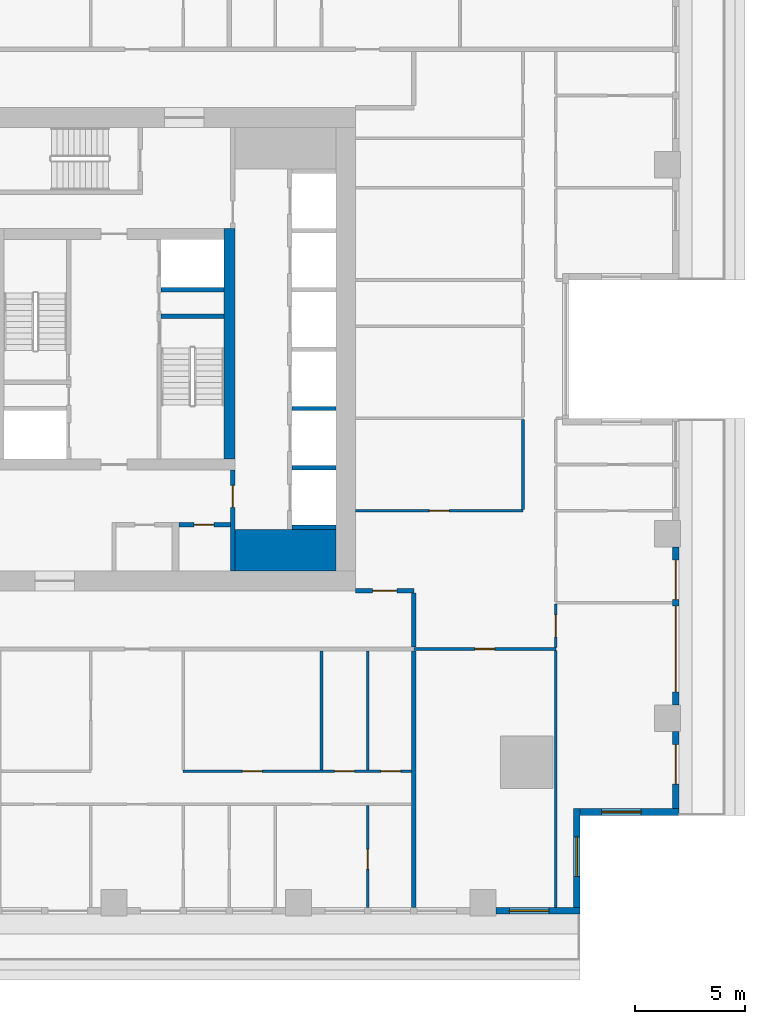
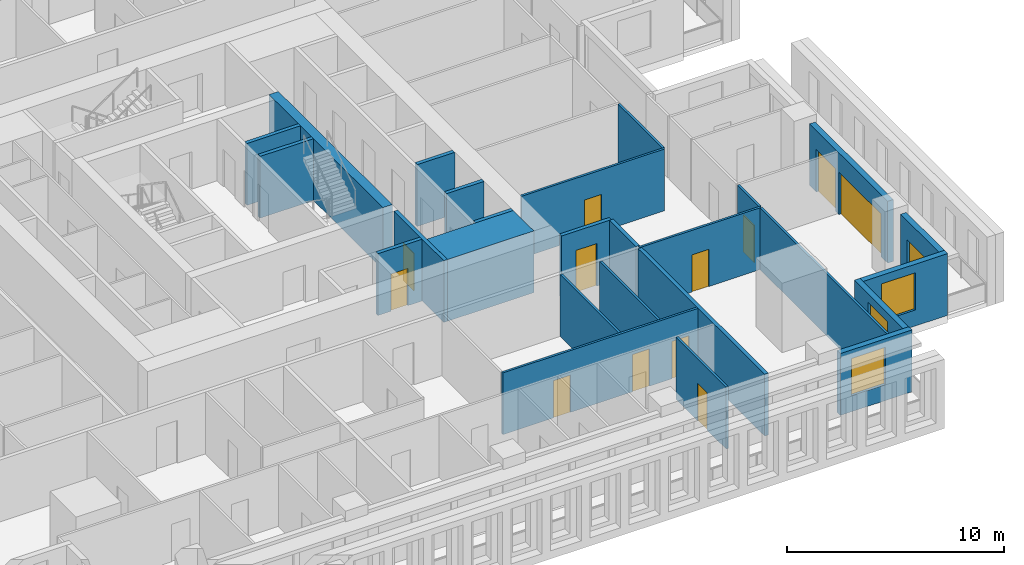
# One storey, part 5 of 16: 26 walls, 13 doors, 3 windows, 16 openings.
"""IFC4 building model written with IfcOpenShell, lengths in metres."""

from ifc_helpers import new_model, si_unit, direction, frame, frame_2d, origin, place, context, subcontext, project, spatial, rectangle, extrude, material, layer, layer_set, type_object, element, fill, save


model = new_model("IFC4")

# Units and contexts
model_context = context("Model", 3, precision=1e-05, world=origin(), true_north=direction((0.0, 1.0)))
body_context = subcontext(model_context, "Body", "Model", "MODEL_VIEW")
ifc_project = project(units=[si_unit("LENGTHUNIT", "METRE"), si_unit("AREAUNIT", "SQUARE_METRE"), si_unit("VOLUMEUNIT", "CUBIC_METRE"), si_unit("PLANEANGLEUNIT", "RADIAN"), si_unit("MASSUNIT", "GRAM", prefix="KILO")], contexts=[model_context])

# Site, building, storey
site_placement = place(None, origin())
site = spatial("IfcSite", under=ifc_project, at=site_placement, CompositionType="ELEMENT")
building_placement = place(site_placement, origin())
building = spatial("IfcBuilding", under=site, at=building_placement, Name="Khepri Terraces", CompositionType="ELEMENT")
storey_placement = place(building_placement, frame((0.0, 0.0, 192.300048828125)))
storey = spatial("IfcBuildingStorey", under=building, at=storey_placement, Name="L45", CompositionType="ELEMENT", Elevation=192.300048828125)

# Walls
ifc_material_1 = material(Name="Concrete C50/60", Category="concrete")
ifc_layer_1 = layer(ifc_material_1, 1.89990234375, Name="Concrete C50/60", Category="concrete")
ifc_layer_set_1 = layer_set([ifc_layer_1], Name="Concrete C50/60")
wall_type_1 = type_object("IfcWallType", Name="Core wall 1900 C50/60", PredefinedType="SHEAR", material=ifc_layer_set_1)
wall_1_placement = place(storey_placement, frame((5.5, -9.14990234375, 0.0), z_axis=(0.0, 0.0, 1.0), x_axis=(1.0, 0.0, 0.0)))
element("IfcWall", 1, at=wall_1_placement, inside=storey, type_object=wall_type_1, Name="Core wall PR02 L45", PredefinedType="SHEAR", context=body_context, shape_type="SweptSolid", body=[
    extrude(rectangle(XDim=4.60009765625, YDim=1.89990234375, at=frame_2d((2.300048828125, 0.0))), origin(), (0.0, 0.0, 1.0), 3.47998046875),
])
ifc_layer_2 = layer(ifc_material_1, 0.199951171875, Name="Concrete C50/60", Category="concrete")
ifc_layer_set_2 = layer_set([ifc_layer_2], Name="Concrete C50/60")
wall_type_2 = type_object("IfcWallType", Name="Core wall 200 C50/60", PredefinedType="SHEAR", material=ifc_layer_set_2)
wall_2_placement = place(storey_placement, frame((2.14990234375, 1.5, 0.0), z_axis=(0.0, 0.0, 1.0), x_axis=(1.0, 0.0, 0.0)))
element("IfcWall", 2, at=wall_2_placement, inside=storey, type_object=wall_type_2, Name="Core wall ST04 L45", PredefinedType="SHEAR", context=body_context, shape_type="SweptSolid", body=[
    extrude(rectangle(XDim=2.85009765625, YDim=0.199951171875, at=frame_2d((1.425048828125, 0.0))), origin(), (0.0, 0.0, 1.0), 3.47998046875),
])
for number, where, z_axis, x_axis, name in (
    (3, (8.10009765625, -8.10009765625, 0.0), (0.0, 0.0, 1.0), (1.0, 0.0, 0.0), "Core wall SH03 L45"),
    (4, (8.10009765625, -5.39990234375, 0.0), (0.0, 0.0, 1.0), (1.0, 0.0, 0.0), "Core wall SH04 L45"),
    (5, (8.10009765625, -2.699951171875, 0.0), (0.0, 0.0, 1.0), (1.0, 0.0, 0.0), "Core wall SH08 L45"),
):
    element("IfcWall", number, at=place(storey_placement, frame(where, z_axis=z_axis, x_axis=x_axis)), inside=storey, type_object=wall_type_2, Name=name, PredefinedType="SHEAR", context=body_context, shape_type="SweptSolid", body=[
        extrude(rectangle(XDim=2.0, YDim=0.199951171875, at=frame_2d((1.0, 0.0))), origin(), (0.0, 0.0, 1.0), 3.47998046875),
    ])
wall_3_placement = place(storey_placement, frame((2.14990234375, 2.699951171875, 0.0), z_axis=(0.0, 0.0, 1.0), x_axis=(1.0, 0.0, 0.0)))
element("IfcWall", 6, at=wall_3_placement, inside=storey, type_object=wall_type_2, Name="Core wall SH12 L45", PredefinedType="SHEAR", context=body_context, shape_type="SweptSolid", body=[
    extrude(rectangle(XDim=2.85009765625, YDim=0.199951171875, at=frame_2d((1.425048828125, 0.0))), origin(), (0.0, 0.0, 1.0), 3.47998046875),
])
ifc_layer_3 = layer(ifc_material_1, 0.5, Name="Concrete C50/60", Category="concrete")
ifc_layer_set_3 = layer_set([ifc_layer_3], Name="Concrete C50/60")
wall_type_3 = type_object("IfcWallType", Name="Core wall 500 C50/60", PredefinedType="SHEAR", material=ifc_layer_set_3)
wall_4_placement = place(storey_placement, frame((5.25, -5.0, 0.0), z_axis=(0.0, 0.0, 1.0), x_axis=(0.0, 1.0, 0.0)))
element("IfcWall", 7, at=wall_4_placement, inside=storey, type_object=wall_type_3, Name="Core wall BX03 L45", PredefinedType="SHEAR", context=body_context, shape_type="SweptSolid", body=[
    extrude(rectangle(XDim=10.5, YDim=0.5, at=frame_2d((5.25, 0.0))), origin(), (0.0, 0.0, 1.0), 3.47998046875),
])

# Wall, opening, door
ifc_material_2 = material(Name="Fire-rated gypsum board partition")
ifc_layer_4 = layer(ifc_material_2, 0.199951171875, Name="Fire-rated gypsum board partition")
ifc_layer_set_4 = layer_set([ifc_layer_4], Name="Fire-rated gypsum board partition")
wall_type_4 = type_object("IfcWallType", Name="WL-CORE-PART-200", PredefinedType="PARTITIONING", material=ifc_layer_set_4)
wall_5_placement = place(storey_placement, frame((5.39990234375, -10.10009765625, 0.0), z_axis=(0.0, 0.0, 1.0), x_axis=(0.0, 1.0, 0.0)))
wall_5 = element("IfcWall", 8, at=wall_5_placement, inside=storey, type_object=wall_type_4, Name="Core partition PT04 L45", PredefinedType="PARTITIONING", context=body_context, shape_type="SweptSolid", body=[
    extrude(rectangle(XDim=4.60009765625, YDim=0.199951171875, at=frame_2d((2.300048828125, 0.0))), origin(), (0.0, 0.0, 1.0), 3.47998046875),
])
opening_1_placement = place(wall_5_placement, frame((2.89990234375, 0.0, 0.0)))
opening_1 = element("IfcOpeningElement", 9, at=opening_1_placement, cuts=wall_5, Name="Opening L45-C19", PredefinedType="OPENING", context=body_context, shape_type="SweptSolid", body=[
    extrude(rectangle(XDim=1.0, YDim=2.10009765625, at=frame_2d((0.5, 1.050048828125))), frame((0.0, 0.10986328125, 0.0), z_axis=(0.0, -1.0, 0.0), x_axis=(1.0, 0.0, 0.0)), (0.0, 0.0, 1.0), 0.219970703125),
])
ifc_material_3 = material(Name="Painted steel", Category="steel")
door_type_1 = type_object("IfcDoorType", Name="DR-CORE-LOBBY-1000", OperationType="NOTDEFINED", PredefinedType="DOOR", material=ifc_material_3)
door_1_placement = place(opening_1_placement, origin())
door_1 = element("IfcDoor", 10, at=door_1_placement, inside=storey, type_object=door_type_1, Name="Lobby door L45-C19", OperationType="SINGLE_SWING_RIGHT", OverallHeight=2.10009765625, OverallWidth=1.0, PredefinedType="DOOR", context=body_context, shape_type="SweptSolid", body=[
    extrude(rectangle(XDim=1.0, YDim=2.10009765625, at=frame_2d((0.5, 1.050048828125))), frame((0.0, 0.02490234375, 0.0), z_axis=(0.0, -1.0, 0.0), x_axis=(1.0, 0.0, 0.0)), (0.0, 0.0, 1.0), 0.050048828125),
])
fill(opening_1, door_1)

wall_6_placement = place(storey_placement, frame((2.949951171875, -8.0, 0.0), z_axis=(0.0, 0.0, 1.0), x_axis=(1.0, 0.0, 0.0)))
wall_6 = element("IfcWall", 11, at=wall_6_placement, inside=storey, type_object=wall_type_4, Name="Core partition PT07 L45", PredefinedType="PARTITIONING", context=body_context, shape_type="SweptSolid", body=[
    extrude(rectangle(XDim=2.35009765625, YDim=0.199951171875, at=frame_2d((1.175048828125, 0.0))), origin(), (0.0, 0.0, 1.0), 3.47998046875),
])
opening_2_placement = place(wall_6_placement, frame((0.699951171875, 0.0, 0.0)))
opening_2 = element("IfcOpeningElement", 12, at=opening_2_placement, cuts=wall_6, Name="Opening L45-C23", PredefinedType="OPENING", context=body_context, shape_type="SweptSolid", body=[
    extrude(rectangle(XDim=0.89990234375, YDim=2.10009765625, at=frame_2d((0.449951171875, 1.050048828125))), frame((0.0, 0.10986328125, 0.0), z_axis=(0.0, -1.0, 0.0), x_axis=(1.0, 0.0, 0.0)), (0.0, 0.0, 1.0), 0.219970703125),
])
door_type_2 = type_object("IfcDoorType", Name="DR-CORE-SERVICE-900", OperationType="NOTDEFINED", PredefinedType="DOOR", material=ifc_material_3)
door_2_placement = place(opening_2_placement, frame((0.89990234375, 0.0, 0.0), z_axis=(0.0, 0.0, 1.0), x_axis=(-1.0, 0.0, 0.0)))
door_2 = element("IfcDoor", 13, at=door_2_placement, inside=storey, type_object=door_type_2, Name="Service room door L45-C23", OperationType="SINGLE_SWING_RIGHT", OverallHeight=2.10009765625, OverallWidth=0.89990234375, PredefinedType="DOOR", context=body_context, shape_type="SweptSolid", body=[
    extrude(rectangle(XDim=0.89990234375, YDim=2.10009765625, at=frame_2d((0.449951171875, 1.050048828125))), frame((0.0, 0.02490234375, 0.0), z_axis=(0.0, -1.0, 0.0), x_axis=(1.0, 0.0, 0.0)), (0.0, 0.0, 1.0), 0.050048828125),
])
fill(opening_2, door_2)

# Walls
ifc_material_4 = material(Name="Fire-rated gypsum plasterboard partition, mineral wool")
ifc_layer_5 = layer(ifc_material_4, 0.199951171875, Name="Fire-rated gypsum plasterboard partition, mineral wool")
ifc_layer_set_5 = layer_set([ifc_layer_5], Name="Fire-rated gypsum plasterboard partition, mineral wool")
wall_type_5 = type_object("IfcWallType", Name="WL-CORR-200", PredefinedType="PARTITIONING", material=ifc_layer_set_5)
wall_7_placement = place(storey_placement, frame((13.64990234375, -25.419921875, 0.0), z_axis=(0.0, 0.0, 1.0), x_axis=(0.0, 1.0, 0.0)))
element("IfcWall", 14, at=wall_7_placement, inside=storey, type_object=wall_type_5, Name="Partition P-010 L45", PredefinedType="PARTITIONING", context=body_context, shape_type="SweptSolid", body=[
    extrude(rectangle(XDim=11.669921875, YDim=0.199951171875, at=frame_2d((5.8349609375, 0.0))), origin(), (0.0, 0.0, 1.0), 3.47998046875),
])
wall_8_placement = place(storey_placement, frame((13.64990234375, -13.550048828125, 0.0), z_axis=(0.0, 0.0, 1.0), x_axis=(0.0, 1.0, 0.0)))
element("IfcWall", 15, at=wall_8_placement, inside=storey, type_object=wall_type_5, Name="Partition P-031 L45", PredefinedType="PARTITIONING", context=body_context, shape_type="SweptSolid", body=[
    extrude(rectangle(XDim=2.449951171875, YDim=0.199951171875, at=frame_2d((1.22509765625, 0.0))), origin(), (0.0, 0.0, 1.0), 3.47998046875),
])

# Wall, opening, door
wall_9_placement = place(storey_placement, frame((11.0, -11.0, 0.0), z_axis=(0.0, 0.0, 1.0), x_axis=(1.0, 0.0, 0.0)))
wall_9 = element("IfcWall", 16, at=wall_9_placement, inside=storey, type_object=wall_type_5, Name="Partition P-038 L45", PredefinedType="PARTITIONING", context=body_context, shape_type="SweptSolid", body=[
    extrude(rectangle(XDim=2.64990234375, YDim=0.199951171875, at=frame_2d((1.324951171875, 0.0))), origin(), (0.0, 0.0, 1.0), 3.47998046875),
])
opening_3_placement = place(wall_9_placement, frame((0.77490234375, 0.0, 0.0)))
opening_3 = element("IfcOpeningElement", 17, at=opening_3_placement, cuts=wall_9, Name="Opening D1", PredefinedType="OPENING", context=body_context, shape_type="SweptSolid", body=[
    extrude(rectangle(XDim=1.10009765625, YDim=2.39990234375, at=frame_2d((0.550048828125, 1.199951171875))), frame((0.0, 0.10986328125, 0.0), z_axis=(0.0, -1.0, 0.0), x_axis=(1.0, 0.0, 0.0)), (0.0, 0.0, 1.0), 0.219970703125),
])
ifc_material_5 = material(Name="Solid-core timber door leaf, flat entrance door", Category="wood")
door_type_3 = type_object("IfcDoorType", Name="DR-ENT-1100", OperationType="NOTDEFINED", PredefinedType="DOOR", material=ifc_material_5)
door_3_placement = place(opening_3_placement, origin())
door_3 = element("IfcDoor", 18, at=door_3_placement, inside=storey, type_object=door_type_3, Name="Flat B1 entrance door", OperationType="SINGLE_SWING_LEFT", OverallHeight=2.39990234375, OverallWidth=1.10009765625, PredefinedType="DOOR", context=body_context, shape_type="SweptSolid", body=[
    extrude(rectangle(XDim=1.10009765625, YDim=2.39990234375, at=frame_2d((0.550048828125, 1.199951171875))), frame((0.0, 0.02490234375, 0.0), z_axis=(0.0, -1.0, 0.0), x_axis=(1.0, 0.0, 0.0)), (0.0, 0.0, 1.0), 0.050048828125),
])
fill(opening_3, door_3)

# Wall, opening, window
ifc_material_6 = material(Name="Precast concrete C50/60 warm stone", Category="masonry")
ifc_layer_6 = layer(ifc_material_6, 0.300048828125, Name="Precast concrete C50/60 warm stone", Category="masonry")
ifc_layer_set_6 = layer_set([ifc_layer_6], Name="Precast concrete C50/60 warm stone")
wall_type_6 = type_object("IfcWallType", Name="WL-EXT-PRECAST-300", PredefinedType="STANDARD", material=ifc_layer_set_6)
wall_10_placement = place(storey_placement, frame((21.219970703125, -21.070068359375, 0.0), z_axis=(0.0, 0.0, 1.0), x_axis=(1.0, 0.0, 0.0)))
wall_10 = element("IfcWall", 19, at=wall_10_placement, inside=storey, type_object=wall_type_6, Name="External wall L45 S", PredefinedType="STANDARD", context=body_context, shape_type="SweptSolid", body=[
    extrude(rectangle(XDim=4.5, YDim=0.300048828125, at=frame_2d((2.25, 0.0))), origin(), (0.0, 0.0, 1.0), 3.47998046875),
])
opening_4_placement = place(wall_10_placement, frame((0.97998046875, 0.0, 0.89990234375)))
opening_4 = element("IfcOpeningElement", 20, at=opening_4_placement, cuts=wall_10, Name="Opening W1", PredefinedType="OPENING", context=body_context, shape_type="SweptSolid", body=[
    extrude(rectangle(XDim=1.800048828125, YDim=2.10009765625, at=frame_2d((0.89990234375, 1.050048828125))), frame((0.0, 0.16015625, 0.0), z_axis=(0.0, -1.0, 0.0), x_axis=(1.0, 0.0, 0.0)), (0.0, 0.0, 1.0), 0.320068359375),
])
ifc_material_7 = material(Name="Clear glass", Category="glass")
window_type = type_object("IfcWindowType", Name="WIN-RES-1800x2100", PartitioningType="SINGLE_PANEL", PredefinedType="WINDOW", material=ifc_material_7)
window_1_placement = place(opening_4_placement, origin())
window_1 = element("IfcWindow", 21, at=window_1_placement, inside=storey, type_object=window_type, Name="Window L45 S", OverallHeight=2.10009765625, OverallWidth=1.800048828125, PartitioningType="SINGLE_PANEL", PredefinedType="WINDOW", context=body_context, shape_type="SweptSolid", body=[
    extrude(rectangle(XDim=1.800048828125, YDim=2.10009765625, at=frame_2d((0.89990234375, 1.050048828125))), frame((0.0, 0.030029296875, 0.0), z_axis=(0.0, -1.0, 0.0), x_axis=(1.0, 0.0, 0.0)), (0.0, 0.0, 1.0), 0.06005859375),
])
fill(opening_4, window_1)

# Wall, opening, door
wall_11_placement = place(storey_placement, frame((25.570068359375, -20.919921875, 0.0), z_axis=(0.0, 0.0, 1.0), x_axis=(0.0, 1.0, 0.0)))
wall_11 = element("IfcWall", 22, at=wall_11_placement, inside=storey, type_object=wall_type_6, Name="External wall L45 E", PredefinedType="STANDARD", context=body_context, shape_type="SweptSolid", body=[
    extrude(rectangle(XDim=3.52001953125, YDim=0.300048828125, at=frame_2d((1.760009765625, 0.0))), origin(), (0.0, 0.0, 1.0), 3.47998046875),
])
opening_5_placement = place(wall_11_placement, frame((1.1201171875, 0.0, 0.0)))
opening_5 = element("IfcOpeningElement", 23, at=opening_5_placement, cuts=wall_11, Name="Opening ED-L45-01", PredefinedType="OPENING", context=body_context, shape_type="SweptSolid", body=[
    extrude(rectangle(XDim=1.800048828125, YDim=2.39990234375, at=frame_2d((0.89990234375, 1.199951171875))), frame((0.0, 0.16015625, 0.0), z_axis=(0.0, -1.0, 0.0), x_axis=(1.0, 0.0, 0.0)), (0.0, 0.0, 1.0), 0.320068359375),
])
ifc_material_8 = material(Name="Anodised aluminium bronze glazed door", Category="aluminium")
door_type_4 = type_object("IfcDoorType", Name="DR-BAL-SLIDE-1800x2400", OperationType="NOTDEFINED", PredefinedType="DOOR", material=ifc_material_8)
door_4_placement = place(opening_5_placement, origin())
door_4 = element("IfcDoor", 24, at=door_4_placement, inside=storey, type_object=door_type_4, Name="Balcony door L45 E", OperationType="SLIDING_TO_RIGHT", OverallHeight=2.39990234375, OverallWidth=1.800048828125, PredefinedType="DOOR", context=body_context, shape_type="SweptSolid", body=[
    extrude(rectangle(XDim=1.800048828125, YDim=2.39990234375, at=frame_2d((0.89990234375, 1.199951171875))), frame((0.0, 0.02490234375, 0.0), z_axis=(0.0, -1.0, 0.0), x_axis=(1.0, 0.0, 0.0)), (0.0, 0.0, 1.0), 0.050048828125),
])
fill(opening_5, door_4)

# Wall, openings, doors
wall_12_placement = place(storey_placement, frame((25.570068359375, -16.199951171875, 0.0), z_axis=(0.0, 0.0, 1.0), x_axis=(0.0, 1.0, 0.0)))
wall_12 = element("IfcWall", 25, at=wall_12_placement, inside=storey, type_object=wall_type_6, Name="External wall L45 E", PredefinedType="STANDARD", context=body_context, shape_type="SweptSolid", body=[
    extrude(rectangle(XDim=7.199951171875, YDim=0.300048828125, at=frame_2d((3.60009765625, 0.0))), origin(), (0.0, 0.0, 1.0), 3.47998046875),
])
opening_6_placement = place(wall_12_placement, frame((0.60009765625, 0.0, 0.0)))
opening_6 = element("IfcOpeningElement", 26, at=opening_6_placement, cuts=wall_12, Name="Opening ED-L45-02", PredefinedType="OPENING", context=body_context, shape_type="SweptSolid", body=[
    extrude(rectangle(XDim=3.89990234375, YDim=2.39990234375, at=frame_2d((1.949951171875, 1.199951171875))), frame((0.0, 0.16015625, 0.0), z_axis=(0.0, -1.0, 0.0), x_axis=(1.0, 0.0, 0.0)), (0.0, 0.0, 1.0), 0.320068359375),
])
opening_7_placement = place(wall_12_placement, frame((4.800048828125, 0.0, 0.0)))
opening_7 = element("IfcOpeningElement", 27, at=opening_7_placement, cuts=wall_12, Name="Opening ED-L45-03", PredefinedType="OPENING", context=body_context, shape_type="SweptSolid", body=[
    extrude(rectangle(XDim=1.800048828125, YDim=2.39990234375, at=frame_2d((0.89990234375, 1.199951171875))), frame((0.0, 0.16015625, 0.0), z_axis=(0.0, -1.0, 0.0), x_axis=(1.0, 0.0, 0.0)), (0.0, 0.0, 1.0), 0.320068359375),
])
door_5_placement = place(opening_7_placement, origin())
door_5 = element("IfcDoor", 28, at=door_5_placement, inside=storey, type_object=door_type_4, Name="Balcony door L45 E", OperationType="SLIDING_TO_RIGHT", OverallHeight=2.39990234375, OverallWidth=1.800048828125, PredefinedType="DOOR", context=body_context, shape_type="SweptSolid", body=[
    extrude(rectangle(XDim=1.800048828125, YDim=2.39990234375, at=frame_2d((0.89990234375, 1.199951171875))), frame((0.0, 0.02490234375, 0.0), z_axis=(0.0, -1.0, 0.0), x_axis=(1.0, 0.0, 0.0)), (0.0, 0.0, 1.0), 0.050048828125),
])
fill(opening_7, door_5)
door_type_5 = type_object("IfcDoorType", Name="DR-BAL-SLIDE-3900x2400", OperationType="NOTDEFINED", PredefinedType="DOOR", material=ifc_material_8)
door_6_placement = place(opening_6_placement, origin())
door_6 = element("IfcDoor", 29, at=door_6_placement, inside=storey, type_object=door_type_5, Name="Balcony door L45 E", OperationType="SLIDING_TO_LEFT", OverallHeight=2.39990234375, OverallWidth=3.89990234375, PredefinedType="DOOR", context=body_context, shape_type="SweptSolid", body=[
    extrude(rectangle(XDim=3.89990234375, YDim=2.39990234375, at=frame_2d((1.949951171875, 1.199951171875))), frame((0.0, 0.02490234375, 0.0), z_axis=(0.0, -1.0, 0.0), x_axis=(1.0, 0.0, 0.0)), (0.0, 0.0, 1.0), 0.050048828125),
])
fill(opening_6, door_6)

# Wall, opening, window
wall_13_placement = place(storey_placement, frame((17.39990234375, -25.570068359375, 0.0), z_axis=(0.0, 0.0, 1.0), x_axis=(1.0, 0.0, 0.0)))
wall_13 = element("IfcWall", 30, at=wall_13_placement, inside=storey, type_object=wall_type_6, Name="External wall L45 S", PredefinedType="STANDARD", context=body_context, shape_type="SweptSolid", body=[
    extrude(rectangle(XDim=3.820068359375, YDim=0.300048828125, at=frame_2d((1.91015625, 0.0))), origin(), (0.0, 0.0, 1.0), 3.47998046875),
])
opening_8_placement = place(wall_13_placement, frame((0.60009765625, 0.0, 0.89990234375)))
opening_8 = element("IfcOpeningElement", 31, at=opening_8_placement, cuts=wall_13, Name="Opening W1", PredefinedType="OPENING", context=body_context, shape_type="SweptSolid", body=[
    extrude(rectangle(XDim=1.800048828125, YDim=2.10009765625, at=frame_2d((0.89990234375, 1.050048828125))), frame((0.0, 0.16015625, 0.0), z_axis=(0.0, -1.0, 0.0), x_axis=(1.0, 0.0, 0.0)), (0.0, 0.0, 1.0), 0.320068359375),
])
window_2_placement = place(opening_8_placement, origin())
window_2 = element("IfcWindow", 32, at=window_2_placement, inside=storey, type_object=window_type, Name="Window L45 S", OverallHeight=2.10009765625, OverallWidth=1.800048828125, PartitioningType="SINGLE_PANEL", PredefinedType="WINDOW", context=body_context, shape_type="SweptSolid", body=[
    extrude(rectangle(XDim=1.800048828125, YDim=2.10009765625, at=frame_2d((0.89990234375, 1.050048828125))), frame((0.0, 0.030029296875, 0.0), z_axis=(0.0, -1.0, 0.0), x_axis=(1.0, 0.0, 0.0)), (0.0, 0.0, 1.0), 0.06005859375),
])
fill(opening_8, window_2)

wall_14_placement = place(storey_placement, frame((21.070068359375, -25.419921875, 0.0), z_axis=(0.0, 0.0, 1.0), x_axis=(0.0, 1.0, 0.0)))
wall_14 = element("IfcWall", 33, at=wall_14_placement, inside=storey, type_object=wall_type_6, Name="External wall L45 E", PredefinedType="STANDARD", context=body_context, shape_type="SweptSolid", body=[
    extrude(rectangle(XDim=4.5, YDim=0.300048828125, at=frame_2d((2.25, 0.0))), origin(), (0.0, 0.0, 1.0), 3.47998046875),
])
opening_9_placement = place(wall_14_placement, frame((1.419921875, 0.0, 0.89990234375)))
opening_9 = element("IfcOpeningElement", 34, at=opening_9_placement, cuts=wall_14, Name="Opening W1", PredefinedType="OPENING", context=body_context, shape_type="SweptSolid", body=[
    extrude(rectangle(XDim=1.800048828125, YDim=2.10009765625, at=frame_2d((0.89990234375, 1.050048828125))), frame((0.0, 0.16015625, 0.0), z_axis=(0.0, -1.0, 0.0), x_axis=(1.0, 0.0, 0.0)), (0.0, 0.0, 1.0), 0.320068359375),
])
window_3_placement = place(opening_9_placement, origin())
window_3 = element("IfcWindow", 35, at=window_3_placement, inside=storey, type_object=window_type, Name="Window L45 E", OverallHeight=2.10009765625, OverallWidth=1.800048828125, PartitioningType="SINGLE_PANEL", PredefinedType="WINDOW", context=body_context, shape_type="SweptSolid", body=[
    extrude(rectangle(XDim=1.800048828125, YDim=2.10009765625, at=frame_2d((0.89990234375, 1.050048828125))), frame((0.0, 0.030029296875, 0.0), z_axis=(0.0, -1.0, 0.0), x_axis=(1.0, 0.0, 0.0)), (0.0, 0.0, 1.0), 0.06005859375),
])
fill(opening_9, window_3)

# Wall, opening, door
ifc_material_9 = material(Name="Gypsum plasterboard partition")
ifc_layer_7 = layer(ifc_material_9, 0.1201171875, Name="Gypsum plasterboard partition")
ifc_layer_set_7 = layer_set([ifc_layer_7], Name="Gypsum plasterboard partition")
wall_type_7 = type_object("IfcWallType", Name="WL-PART-120", PredefinedType="PARTITIONING", material=ifc_layer_set_7)
wall_15_placement = place(storey_placement, frame((11.550048828125, -25.419921875, 0.0), z_axis=(0.0, 0.0, 1.0), x_axis=(0.0, 1.0, 0.0)))
wall_15 = element("IfcWall", 36, at=wall_15_placement, inside=storey, type_object=wall_type_7, Name="Partition P-009 L45", PredefinedType="PARTITIONING", context=body_context, shape_type="SweptSolid", body=[
    extrude(rectangle(XDim=4.639892578125, YDim=0.1201171875, at=frame_2d((2.31982421875, 0.0))), origin(), (0.0, 0.0, 1.0), 3.47998046875),
])
opening_10_placement = place(wall_15_placement, frame((1.75, 0.0, 0.0)))
opening_10 = element("IfcOpeningElement", 37, at=opening_10_placement, cuts=wall_15, Name="Opening D4", PredefinedType="OPENING", context=body_context, shape_type="SweptSolid", body=[
    extrude(rectangle(XDim=0.89990234375, YDim=2.10009765625, at=frame_2d((0.449951171875, 1.050048828125))), frame((0.0, 0.070068359375, 0.0), z_axis=(0.0, -1.0, 0.0), x_axis=(1.0, 0.0, 0.0)), (0.0, 0.0, 1.0), 0.14013671875),
])
ifc_material_10 = material(Name="Timber door leaf, moisture resistant", Category="wood")
door_type_6 = type_object("IfcDoorType", Name="DR-WET-900", OperationType="NOTDEFINED", PredefinedType="DOOR", material=ifc_material_10)
door_7_placement = place(opening_10_placement, frame((0.89990234375, 0.0, 0.0), z_axis=(0.0, 0.0, 1.0), x_axis=(-1.0, 0.0, 0.0)))
door_7 = element("IfcDoor", 38, at=door_7_placement, inside=storey, type_object=door_type_6, Name="Door Bathroom", OperationType="SINGLE_SWING_RIGHT", OverallHeight=2.10009765625, OverallWidth=0.89990234375, PredefinedType="DOOR", context=body_context, shape_type="SweptSolid", body=[
    extrude(rectangle(XDim=0.89990234375, YDim=2.10009765625, at=frame_2d((0.449951171875, 1.050048828125))), frame((0.0, 0.02490234375, 0.0), z_axis=(0.0, -1.0, 0.0), x_axis=(1.0, 0.0, 0.0)), (0.0, 0.0, 1.0), 0.050048828125),
])
fill(opening_10, door_7)

# Wall
wall_16_placement = place(storey_placement, frame((20.1201171875, -25.419921875, 0.0), z_axis=(0.0, 0.0, 1.0), x_axis=(0.0, 1.0, 0.0)))
element("IfcWall", 39, at=wall_16_placement, inside=storey, type_object=wall_type_7, Name="Partition P-011 L45", PredefinedType="PARTITIONING", context=body_context, shape_type="SweptSolid", body=[
    extrude(rectangle(XDim=11.7099609375, YDim=0.1201171875, at=frame_2d((5.85498046875, 0.0))), origin(), (0.0, 0.0, 1.0), 3.47998046875),
])

# Wall, openings, doors
wall_17_placement = place(storey_placement, frame((3.14990234375, -19.219970703125, 0.0), z_axis=(0.0, 0.0, 1.0), x_axis=(1.0, 0.0, 0.0)))
wall_17 = element("IfcWall", 40, at=wall_17_placement, inside=storey, type_object=wall_type_7, Name="Partition P-017 L45", PredefinedType="PARTITIONING", context=body_context, shape_type="SweptSolid", body=[
    extrude(rectangle(XDim=10.400146484375, YDim=0.1201171875, at=frame_2d((5.2001953125, 0.0))), origin(), (0.0, 0.0, 1.0), 3.47998046875),
])
opening_11_placement = place(wall_17_placement, frame((2.699951171875, 0.0, 0.0)))
opening_11 = element("IfcOpeningElement", 41, at=opening_11_placement, cuts=wall_17, Name="Opening D3", PredefinedType="OPENING", context=body_context, shape_type="SweptSolid", body=[
    extrude(rectangle(XDim=0.89990234375, YDim=2.10009765625, at=frame_2d((0.449951171875, 1.050048828125))), frame((0.0, 0.070068359375, 0.0), z_axis=(0.0, -1.0, 0.0), x_axis=(1.0, 0.0, 0.0)), (0.0, 0.0, 1.0), 0.14013671875),
])
opening_12_placement = place(wall_17_placement, frame((6.89990234375, 0.0, 0.0)))
opening_12 = element("IfcOpeningElement", 42, at=opening_12_placement, cuts=wall_17, Name="Opening D4", PredefinedType="OPENING", context=body_context, shape_type="SweptSolid", body=[
    extrude(rectangle(XDim=0.89990234375, YDim=2.10009765625, at=frame_2d((0.449951171875, 1.050048828125))), frame((0.0, 0.070068359375, 0.0), z_axis=(0.0, -1.0, 0.0), x_axis=(1.0, 0.0, 0.0)), (0.0, 0.0, 1.0), 0.14013671875),
])
opening_13_placement = place(wall_17_placement, frame((9.0, 0.0, 0.0)))
opening_13 = element("IfcOpeningElement", 43, at=opening_13_placement, cuts=wall_17, Name="Opening D3", PredefinedType="OPENING", context=body_context, shape_type="SweptSolid", body=[
    extrude(rectangle(XDim=0.89990234375, YDim=2.10009765625, at=frame_2d((0.449951171875, 1.050048828125))), frame((0.0, 0.070068359375, 0.0), z_axis=(0.0, -1.0, 0.0), x_axis=(1.0, 0.0, 0.0)), (0.0, 0.0, 1.0), 0.14013671875),
])
ifc_material_11 = material(Name="Timber door leaf", Category="wood")
door_type_7 = type_object("IfcDoorType", Name="DR-INT-900", OperationType="NOTDEFINED", PredefinedType="DOOR", material=ifc_material_11)
door_8_placement = place(opening_11_placement, origin())
door_8 = element("IfcDoor", 44, at=door_8_placement, inside=storey, type_object=door_type_7, Name="Door Kitchen", OperationType="SINGLE_SWING_LEFT", OverallHeight=2.10009765625, OverallWidth=0.89990234375, PredefinedType="DOOR", context=body_context, shape_type="SweptSolid", body=[
    extrude(rectangle(XDim=0.89990234375, YDim=2.10009765625, at=frame_2d((0.449951171875, 1.050048828125))), frame((0.0, 0.02490234375, 0.0), z_axis=(0.0, -1.0, 0.0), x_axis=(1.0, 0.0, 0.0)), (0.0, 0.0, 1.0), 0.050048828125),
])
fill(opening_11, door_8)
door_9_placement = place(opening_13_placement, origin())
door_9 = element("IfcDoor", 45, at=door_9_placement, inside=storey, type_object=door_type_7, Name="Door Utility Room", OperationType="SINGLE_SWING_RIGHT", OverallHeight=2.10009765625, OverallWidth=0.89990234375, PredefinedType="DOOR", context=body_context, shape_type="SweptSolid", body=[
    extrude(rectangle(XDim=0.89990234375, YDim=2.10009765625, at=frame_2d((0.449951171875, 1.050048828125))), frame((0.0, 0.02490234375, 0.0), z_axis=(0.0, -1.0, 0.0), x_axis=(1.0, 0.0, 0.0)), (0.0, 0.0, 1.0), 0.050048828125),
])
fill(opening_13, door_9)
door_10_placement = place(opening_12_placement, origin())
door_10 = element("IfcDoor", 46, at=door_10_placement, inside=storey, type_object=door_type_6, Name="Door Powder Room", OperationType="SINGLE_SWING_RIGHT", OverallHeight=2.10009765625, OverallWidth=0.89990234375, PredefinedType="DOOR", context=body_context, shape_type="SweptSolid", body=[
    extrude(rectangle(XDim=0.89990234375, YDim=2.10009765625, at=frame_2d((0.449951171875, 1.050048828125))), frame((0.0, 0.02490234375, 0.0), z_axis=(0.0, -1.0, 0.0), x_axis=(1.0, 0.0, 0.0)), (0.0, 0.0, 1.0), 0.050048828125),
])
fill(opening_12, door_10)

# Walls
for number, where, z_axis, x_axis, name in (
    (47, (9.449951171875, -19.159912109375, 0.0), (0.0, 0.0, 1.0), (0.0, 1.0, 0.0), "Partition P-020 L45"),
    (48, (11.550048828125, -19.159912109375, 0.0), (0.0, 0.0, 1.0), (0.0, 1.0, 0.0), "Partition P-021 L45"),
):
    element("IfcWall", number, at=place(storey_placement, frame(where, z_axis=z_axis, x_axis=x_axis)), inside=storey, type_object=wall_type_7, Name=name, PredefinedType="PARTITIONING", context=body_context, shape_type="SweptSolid", body=[
        extrude(rectangle(XDim=5.409912109375, YDim=0.1201171875, at=frame_2d((2.705078125, 0.0))), origin(), (0.0, 0.0, 1.0), 3.47998046875),
    ])

# Wall, opening, door
wall_18_placement = place(storey_placement, frame((13.64990234375, -13.64990234375, 0.0), z_axis=(0.0, 0.0, 1.0), x_axis=(1.0, 0.0, 0.0)))
wall_18 = element("IfcWall", 49, at=wall_18_placement, inside=storey, type_object=wall_type_7, Name="Partition P-026 L45", PredefinedType="PARTITIONING", context=body_context, shape_type="SweptSolid", body=[
    extrude(rectangle(XDim=6.47021484375, YDim=0.1201171875, at=frame_2d((3.235107421875, 0.0))), origin(), (0.0, 0.0, 1.0), 3.47998046875),
])
opening_14_placement = place(wall_18_placement, frame((2.784912109375, 0.0, 0.0)))
opening_14 = element("IfcOpeningElement", 50, at=opening_14_placement, cuts=wall_18, Name="Opening D3", PredefinedType="OPENING", context=body_context, shape_type="SweptSolid", body=[
    extrude(rectangle(XDim=0.89990234375, YDim=2.10009765625, at=frame_2d((0.449951171875, 1.050048828125))), frame((0.0, 0.070068359375, 0.0), z_axis=(0.0, -1.0, 0.0), x_axis=(1.0, 0.0, 0.0)), (0.0, 0.0, 1.0), 0.14013671875),
])
door_11_placement = place(opening_14_placement, frame((0.89990234375, 0.0, 0.0), z_axis=(0.0, 0.0, 1.0), x_axis=(-1.0, 0.0, 0.0)))
door_11 = element("IfcDoor", 51, at=door_11_placement, inside=storey, type_object=door_type_7, Name="Door Library", OperationType="SINGLE_SWING_LEFT", OverallHeight=2.10009765625, OverallWidth=0.89990234375, PredefinedType="DOOR", context=body_context, shape_type="SweptSolid", body=[
    extrude(rectangle(XDim=0.89990234375, YDim=2.10009765625, at=frame_2d((0.449951171875, 1.050048828125))), frame((0.0, 0.02490234375, 0.0), z_axis=(0.0, -1.0, 0.0), x_axis=(1.0, 0.0, 0.0)), (0.0, 0.0, 1.0), 0.050048828125),
])
fill(opening_14, door_11)

wall_19_placement = place(storey_placement, frame((20.1201171875, -13.590087890625, 0.0), z_axis=(0.0, 0.0, 1.0), x_axis=(0.0, 1.0, 0.0)))
wall_19 = element("IfcWall", 52, at=wall_19_placement, inside=storey, type_object=wall_type_7, Name="Partition P-027 L45", PredefinedType="PARTITIONING", context=body_context, shape_type="SweptSolid", body=[
    extrude(rectangle(XDim=1.97998046875, YDim=0.1201171875, at=frame_2d((0.989990234375, 0.0))), origin(), (0.0, 0.0, 1.0), 3.47998046875),
])
opening_15_placement = place(wall_19_placement, frame((0.489990234375, 0.0, 0.0)))
opening_15 = element("IfcOpeningElement", 53, at=opening_15_placement, cuts=wall_19, Name="Opening D2", PredefinedType="OPENING", context=body_context, shape_type="SweptSolid", body=[
    extrude(rectangle(XDim=1.0, YDim=2.10009765625, at=frame_2d((0.5, 1.050048828125))), frame((0.0, 0.070068359375, 0.0), z_axis=(0.0, -1.0, 0.0), x_axis=(1.0, 0.0, 0.0)), (0.0, 0.0, 1.0), 0.14013671875),
])
ifc_material_12 = material(Name="Timber door leaf, living room door", Category="wood")
door_type_8 = type_object("IfcDoorType", Name="DR-INT-1000", OperationType="NOTDEFINED", PredefinedType="DOOR", material=ifc_material_12)
door_12_placement = place(opening_15_placement, frame((1.0, 0.0, 0.0), z_axis=(0.0, 0.0, 1.0), x_axis=(-1.0, 0.0, 0.0)))
door_12 = element("IfcDoor", 54, at=door_12_placement, inside=storey, type_object=door_type_8, Name="Door Living Room", OperationType="SINGLE_SWING_RIGHT", OverallHeight=2.10009765625, OverallWidth=1.0, PredefinedType="DOOR", context=body_context, shape_type="SweptSolid", body=[
    extrude(rectangle(XDim=1.0, YDim=2.10009765625, at=frame_2d((0.5, 1.050048828125))), frame((0.0, 0.02490234375, 0.0), z_axis=(0.0, -1.0, 0.0), x_axis=(1.0, 0.0, 0.0)), (0.0, 0.0, 1.0), 0.050048828125),
])
fill(opening_15, door_12)

wall_20_placement = place(storey_placement, frame((11.0, -7.35009765625, 0.0), z_axis=(0.0, 0.0, 1.0), x_axis=(1.0, 0.0, 0.0)))
wall_20 = element("IfcWall", 55, at=wall_20_placement, inside=storey, type_object=wall_type_7, Name="Partition P-043 L45", PredefinedType="PARTITIONING", context=body_context, shape_type="SweptSolid", body=[
    extrude(rectangle(XDim=7.6201171875, YDim=0.1201171875, at=frame_2d((3.81005859375, 0.0))), origin(), (0.0, 0.0, 1.0), 3.47998046875),
])
opening_16_placement = place(wall_20_placement, frame((3.360107421875, 0.0, 0.0)))
opening_16 = element("IfcOpeningElement", 56, at=opening_16_placement, cuts=wall_20, Name="Opening D3", PredefinedType="OPENING", context=body_context, shape_type="SweptSolid", body=[
    extrude(rectangle(XDim=0.89990234375, YDim=2.10009765625, at=frame_2d((0.449951171875, 1.050048828125))), frame((0.0, 0.070068359375, 0.0), z_axis=(0.0, -1.0, 0.0), x_axis=(1.0, 0.0, 0.0)), (0.0, 0.0, 1.0), 0.14013671875),
])
door_13_placement = place(opening_16_placement, origin())
door_13 = element("IfcDoor", 57, at=door_13_placement, inside=storey, type_object=door_type_7, Name="Door Kitchen", OperationType="SINGLE_SWING_RIGHT", OverallHeight=2.10009765625, OverallWidth=0.89990234375, PredefinedType="DOOR", context=body_context, shape_type="SweptSolid", body=[
    extrude(rectangle(XDim=0.89990234375, YDim=2.10009765625, at=frame_2d((0.449951171875, 1.050048828125))), frame((0.0, 0.02490234375, 0.0), z_axis=(0.0, -1.0, 0.0), x_axis=(1.0, 0.0, 0.0)), (0.0, 0.0, 1.0), 0.050048828125),
])
fill(opening_16, door_13)

# Wall
wall_21_placement = place(storey_placement, frame((18.6201171875, -7.2900390625, 0.0), z_axis=(0.0, 0.0, 1.0), x_axis=(0.0, 1.0, 0.0)))
element("IfcWall", 58, at=wall_21_placement, inside=storey, type_object=wall_type_7, Name="Partition P-045 L45", PredefinedType="PARTITIONING", context=body_context, shape_type="SweptSolid", body=[
    extrude(rectangle(XDim=4.080078125, YDim=0.1201171875, at=frame_2d((2.0400390625, 0.0))), origin(), (0.0, 0.0, 1.0), 3.47998046875),
])

save(model, "model.ifc")
